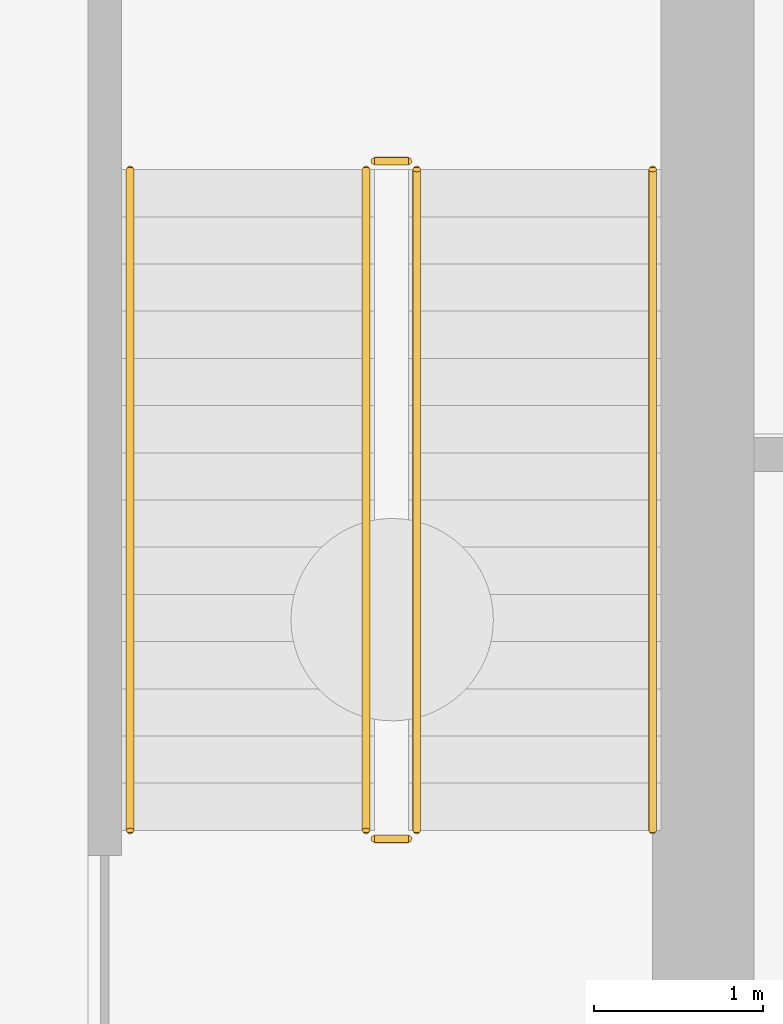
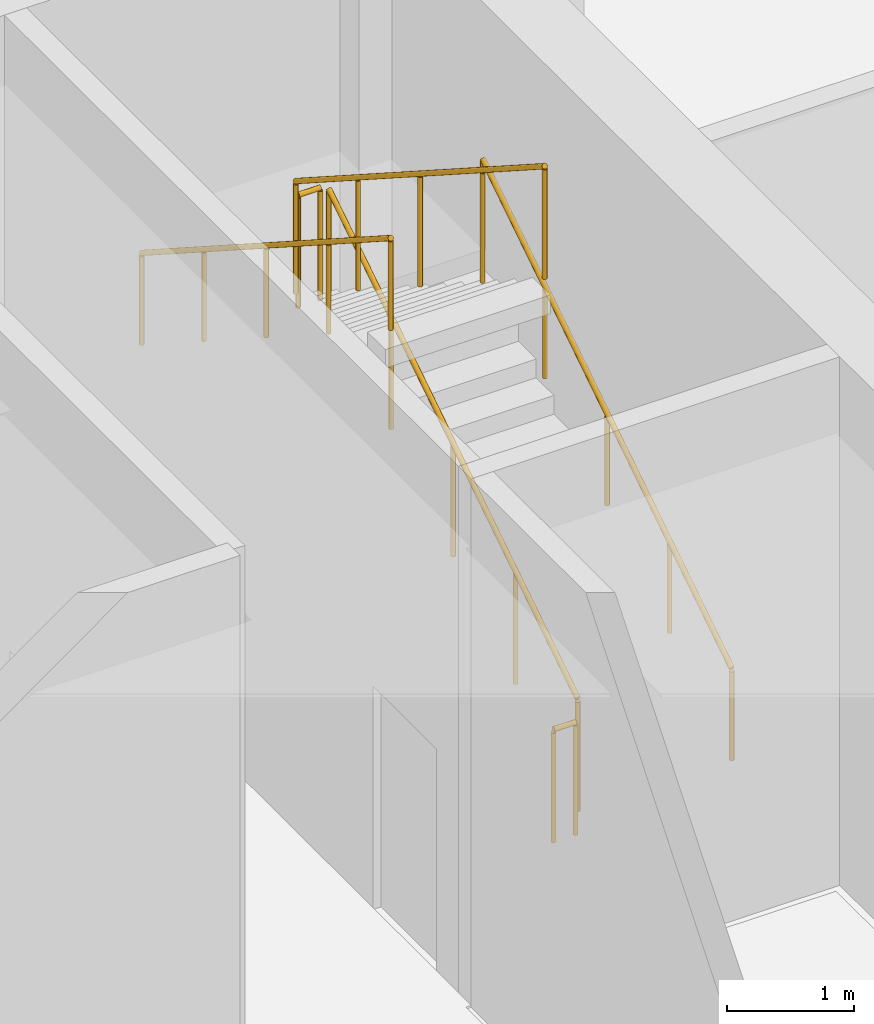
# One storey, part 9 of 12: 6 railings.
"""IFC4 building model written with IfcOpenShell, lengths in metres."""

from ifc_helpers import new_model, si_unit, direction, frame, origin, origin_2d, place, context, subcontext, project, spatial, circle, extrude, material, type_object, element, save


model = new_model("IFC4")

# Units and contexts
model_context = context("Model", 3, precision=1e-05, world=origin(), true_north=direction((0.0, 1.0)))
body_context = subcontext(model_context, "Body", "Model", "MODEL_VIEW")
ifc_project = project(units=[si_unit("LENGTHUNIT", "METRE"), si_unit("AREAUNIT", "SQUARE_METRE"), si_unit("VOLUMEUNIT", "CUBIC_METRE"), si_unit("PLANEANGLEUNIT", "RADIAN"), si_unit("MASSUNIT", "GRAM", prefix="KILO")], contexts=[model_context])

# Site, building, storey
site_placement = place(None, origin())
site = spatial("IfcSite", under=ifc_project, at=site_placement, CompositionType="ELEMENT")
building_placement = place(site_placement, origin())
building = spatial("IfcBuilding", under=site, at=building_placement, Name="Savorim Split Tower", CompositionType="ELEMENT")
storey_placement = place(building_placement, frame((0.0, 0.0, -5.39990234375)))
storey = spatial("IfcBuildingStorey", under=building, at=storey_placement, Name="B01", CompositionType="ELEMENT", Elevation=-5.39990234375)

# Railings
ifc_material = material(Name="Galvanised Painted Steel Balustrade", Category="steel")
railing_type_1 = type_object("IfcRailingType", Name="RLG-HR-900", PredefinedType="HANDRAIL", material=ifc_material)
railing_1_placement = place(storey_placement, frame((7.39990234375, 4.25, 0.179931640625)))
element("IfcRailing", 1, at=railing_1_placement, inside=storey, type_object=railing_type_1, Name="B01 ST-2 stair handrail 1", PredefinedType="HANDRAIL", context=body_context, shape_type="SweptSolid", body=[
    extrude(circle(Radius=0.02392578125, at=origin_2d()), frame((0.0, 0.0, 0.8759765625), z_axis=(0.0, 0.841171666519, 0.540768182723), x_axis=(-1.0, 0.0, 0.0)), (0.0, 0.0, 1.0), 4.66015625),
    extrude(circle(Radius=0.02099609375, at=origin_2d()), origin(), (0.0, 0.0, 1.0), 0.851806640625),
    extrude(circle(Radius=0.02099609375, at=origin_2d()), frame((0.0, 0.97998046875, 0.6298828125)), (0.0, 0.0, 1.0), 0.851806640625),
    extrude(circle(Radius=0.02099609375, at=origin_2d()), frame((0.0, 1.9599609375, 1.260009765625)), (0.0, 0.0, 1.0), 0.851806640625),
    extrude(circle(Radius=0.02099609375, at=origin_2d()), frame((0.0, 2.93994140625, 1.89013671875)), (0.0, 0.0, 1.0), 0.851806640625),
    extrude(circle(Radius=0.02099609375, at=origin_2d()), frame((0.0, 3.919921875, 2.52001953125)), (0.0, 0.0, 1.0), 0.851806640625),
])
railing_2_placement = place(storey_placement, frame((4.300048828125, 8.169921875, 2.8798828125)))
element("IfcRailing", 2, at=railing_2_placement, inside=storey, type_object=railing_type_1, Name="B01 ST-2 stair handrail 2", PredefinedType="HANDRAIL", context=body_context, shape_type="SweptSolid", body=[
    extrude(circle(Radius=0.02392578125, at=origin_2d()), frame((0.0, 0.0, 0.8759765625), z_axis=(0.0, -0.841171666519, 0.540768182723), x_axis=(1.0, 0.0, 0.0)), (0.0, 0.0, 1.0), 4.66015625),
    extrude(circle(Radius=0.02099609375, at=origin_2d()), origin(), (0.0, 0.0, 1.0), 0.851806640625),
    extrude(circle(Radius=0.02099609375, at=origin_2d()), frame((0.0, -0.97998046875, 0.6298828125)), (0.0, 0.0, 1.0), 0.851806640625),
    extrude(circle(Radius=0.02099609375, at=origin_2d()), frame((0.0, -1.9599609375, 1.260009765625)), (0.0, 0.0, 1.0), 0.851806640625),
    extrude(circle(Radius=0.02099609375, at=origin_2d()), frame((0.0, -2.93994140625, 1.89013671875)), (0.0, 0.0, 1.0), 0.851806640625),
    extrude(circle(Radius=0.02099609375, at=origin_2d()), frame((0.0, -3.919921875, 2.52001953125)), (0.0, 0.0, 1.0), 0.851806640625),
])
railing_type_2 = type_object("IfcRailingType", Name="RLG-STG-1100", PredefinedType="BALUSTRADE", material=ifc_material)
railing_3_placement = place(storey_placement, frame((6.0, 4.25, 0.179931640625)))
element("IfcRailing", 3, at=railing_3_placement, inside=storey, type_object=railing_type_2, Name="B01 ST-2 stair guard 1", PredefinedType="BALUSTRADE", context=body_context, shape_type="SweptSolid", body=[
    extrude(circle(Radius=0.02392578125, at=origin_2d()), frame((0.0, 0.0, 1.076171875), z_axis=(0.0, 0.841171666519, 0.540768182723), x_axis=(-1.0, 0.0, 0.0)), (0.0, 0.0, 1.0), 4.66015625),
    extrude(circle(Radius=0.02099609375, at=origin_2d()), origin(), (0.0, 0.0, 1.0), 1.052001953125),
    extrude(circle(Radius=0.02099609375, at=origin_2d()), frame((0.0, 0.97998046875, 0.6298828125)), (0.0, 0.0, 1.0), 1.052001953125),
    extrude(circle(Radius=0.02099609375, at=origin_2d()), frame((0.0, 1.9599609375, 1.260009765625)), (0.0, 0.0, 1.0), 1.052001953125),
    extrude(circle(Radius=0.02099609375, at=origin_2d()), frame((0.0, 2.93994140625, 1.89013671875)), (0.0, 0.0, 1.0), 1.052001953125),
    extrude(circle(Radius=0.02099609375, at=origin_2d()), frame((0.0, 3.919921875, 2.52001953125)), (0.0, 0.0, 1.0), 1.052001953125),
])
railing_4_placement = place(storey_placement, frame((5.949951171875, 8.219970703125, 2.699951171875)))
element("IfcRailing", 4, at=railing_4_placement, inside=storey, type_object=railing_type_2, Name="B01 ST-2 stair guard 2", PredefinedType="BALUSTRADE", context=body_context, shape_type="SweptSolid", body=[
    extrude(circle(Radius=0.02392578125, at=origin_2d()), frame((0.0, 0.0, 1.076171875), z_axis=(-1.0, 0.0, 0.0), x_axis=(0.0, -1.0, 0.0)), (0.0, 0.0, 1.0), 0.199951171875),
    extrude(circle(Radius=0.02099609375, at=origin_2d()), origin(), (0.0, 0.0, 1.0), 1.052001953125),
    extrude(circle(Radius=0.02099609375, at=origin_2d()), frame((-0.199951171875, 0.0, 0.0)), (0.0, 0.0, 1.0), 1.052001953125),
])
railing_5_placement = place(storey_placement, frame((5.699951171875, 8.169921875, 2.8798828125)))
element("IfcRailing", 5, at=railing_5_placement, inside=storey, type_object=railing_type_2, Name="B01 ST-2 stair guard 3", PredefinedType="BALUSTRADE", context=body_context, shape_type="SweptSolid", body=[
    extrude(circle(Radius=0.02392578125, at=origin_2d()), frame((0.0, 0.0, 1.076171875), z_axis=(0.0, -0.841171666519, 0.540768182723), x_axis=(1.0, 0.0, 0.0)), (0.0, 0.0, 1.0), 4.66015625),
    extrude(circle(Radius=0.02099609375, at=origin_2d()), origin(), (0.0, 0.0, 1.0), 1.052001953125),
    extrude(circle(Radius=0.02099609375, at=origin_2d()), frame((0.0, -0.97998046875, 0.6298828125)), (0.0, 0.0, 1.0), 1.052001953125),
    extrude(circle(Radius=0.02099609375, at=origin_2d()), frame((0.0, -1.9599609375, 1.260009765625)), (0.0, 0.0, 1.0), 1.052001953125),
    extrude(circle(Radius=0.02099609375, at=origin_2d()), frame((0.0, -2.93994140625, 1.89013671875)), (0.0, 0.0, 1.0), 1.052001953125),
    extrude(circle(Radius=0.02099609375, at=origin_2d()), frame((0.0, -3.919921875, 2.52001953125)), (0.0, 0.0, 1.0), 1.052001953125),
])
railing_6_placement = place(storey_placement, frame((5.949951171875, 4.199951171875, 0.0)))
element("IfcRailing", 6, at=railing_6_placement, inside=storey, type_object=railing_type_2, Name="B01 ST-2 stair guard 4", PredefinedType="BALUSTRADE", context=body_context, shape_type="SweptSolid", body=[
    extrude(circle(Radius=0.02392578125, at=origin_2d()), frame((0.0, 0.0, 1.076171875), z_axis=(-1.0, 0.0, 0.0), x_axis=(0.0, -1.0, 0.0)), (0.0, 0.0, 1.0), 0.199951171875),
    extrude(circle(Radius=0.02099609375, at=origin_2d()), origin(), (0.0, 0.0, 1.0), 1.052001953125),
    extrude(circle(Radius=0.02099609375, at=origin_2d()), frame((-0.199951171875, 0.0, 0.0)), (0.0, 0.0, 1.0), 1.052001953125),
])

save(model, "model.ifc")
